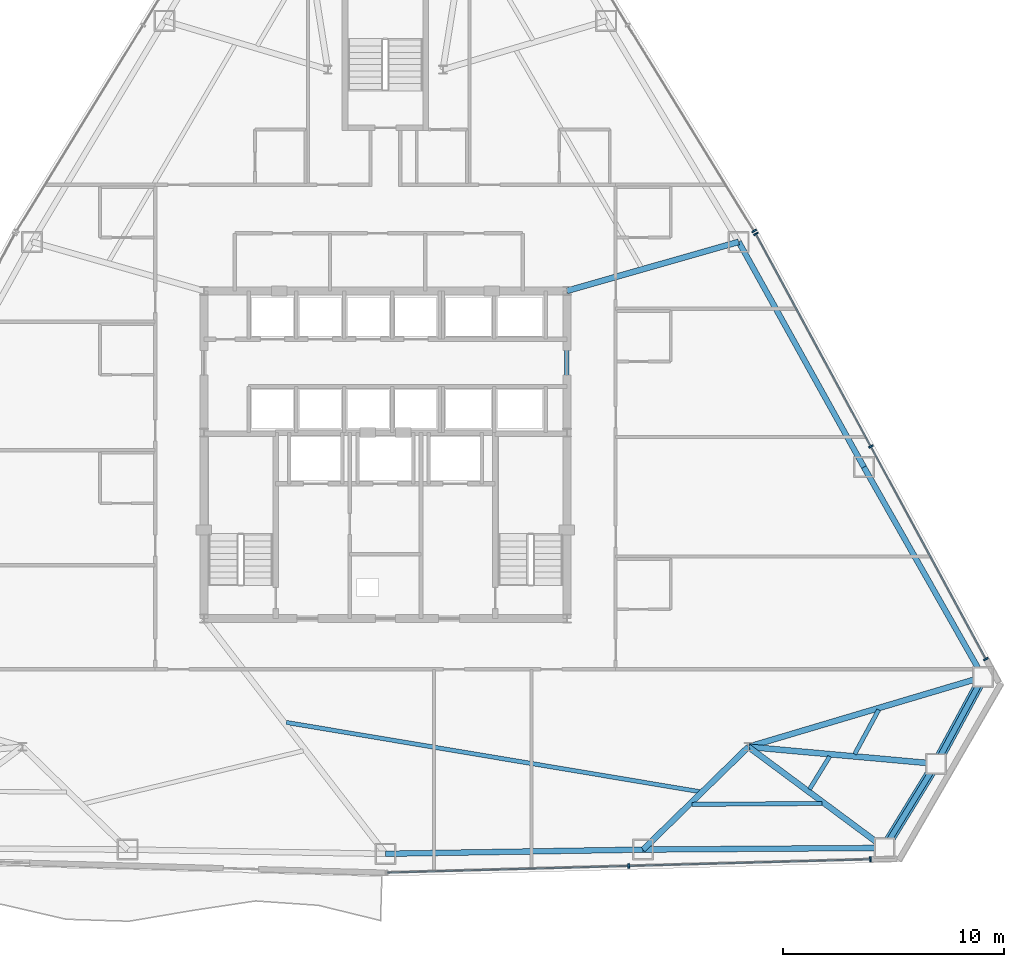
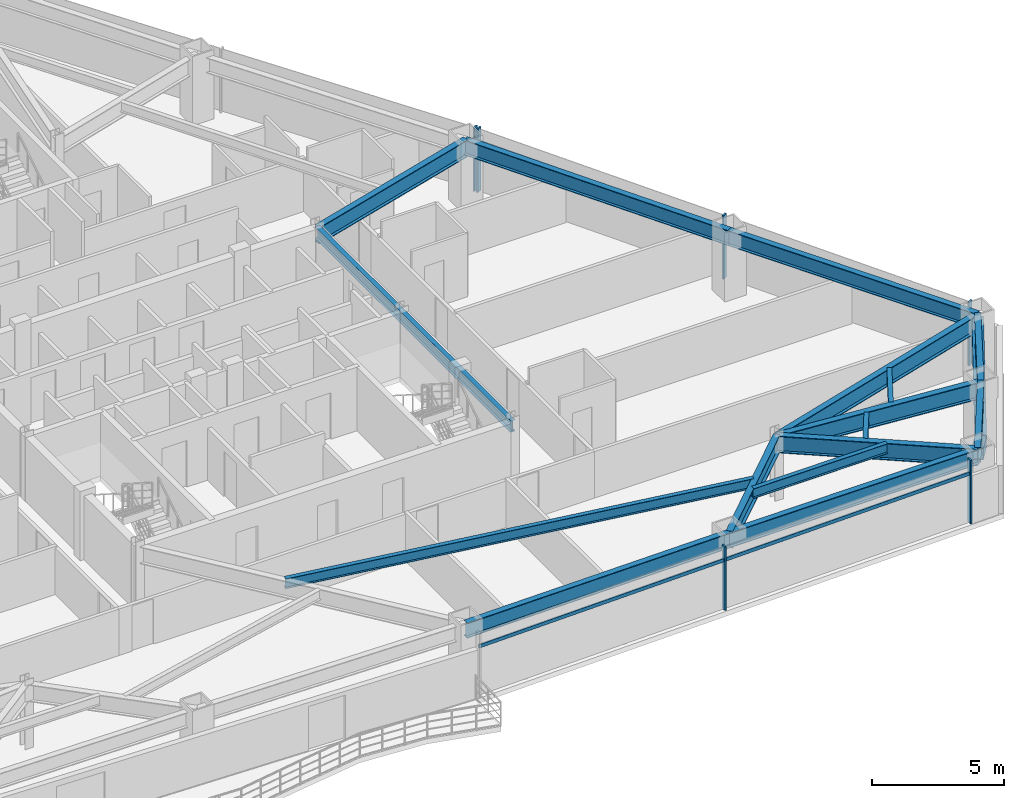
# One storey, part 6 of 13: 16 beams, 10 members, 3 elements without a shape of their own.
"""IFC4 building model written with IfcOpenShell, lengths in metres."""

from ifc_helpers import new_model, si_unit, direction, frame, origin, origin_2d, place, context, subcontext, project, spatial, rectangle, hollow_rectangle, i_section, extrude, source, transform, mapped, material, layer, layer_set, material_profile, profile_set, type_object, type_shapes, element, aggregate, save


model = new_model("IFC4")

# Units and contexts
model_context = context("Model", 3, precision=1e-05, world=origin(), true_north=direction((0.0, 1.0)))
body_context = subcontext(model_context, "Body", "Model", "MODEL_VIEW")
ifc_project = project(units=[si_unit("LENGTHUNIT", "METRE"), si_unit("AREAUNIT", "SQUARE_METRE"), si_unit("VOLUMEUNIT", "CUBIC_METRE"), si_unit("PLANEANGLEUNIT", "RADIAN"), si_unit("MASSUNIT", "GRAM", prefix="KILO")], contexts=[model_context])

# Site, building, storey
site_placement = place(None, origin())
site = spatial("IfcSite", under=ifc_project, at=site_placement, CompositionType="ELEMENT")
building_placement = place(site_placement, origin())
building = spatial("IfcBuilding", under=site, at=building_placement, Name="Varakhsha Concourse Tower", CompositionType="ELEMENT")
storey_placement = place(building_placement, frame((0.0, 0.0, 108.60009765625)))
storey = spatial("IfcBuildingStorey", under=building, at=storey_placement, Name="L31", CompositionType="ELEMENT", Elevation=108.60009765625)

# Beams
ifc_material_1 = material(Name="Structural Steel ASTM A992 Grade 50", Category="steel")
ifc_material_profile_1 = material_profile(ifc_material_1, i_section(OverallWidth=0.26611328125, OverallDepth=0.779052734375, WebThickness=0.01708984375, FlangeThickness=0.030029296875, at=origin_2d()), Name="W30X148")
ifc_profile_set_1 = profile_set([ifc_material_profile_1], Name="Structural Steel ASTM A992 Grade 50")
beam_type_1 = type_object("IfcBeamType", Name="BM-BASE-W30X148", PredefinedType="USERDEFINED", material=ifc_profile_set_1)
beam_1_placement = place(storey_placement, frame((56.39990234375, 10.60009765625, 2.55029296875), z_axis=(-0.715722386473, -0.698384897819, 0.0), x_axis=(0.698384897819, -0.715722386473, 0.0)))
element("IfcBeam", 1, at=beam_1_placement, inside=storey, type_object=beam_type_1, Name="L31 Radial Floor Girder 12", ObjectType="GIRDER", PredefinedType="USERDEFINED", context=body_context, shape_type="SweptSolid", body=[
    extrude(i_section(OverallWidth=0.26611328125, OverallDepth=0.779052734375, WebThickness=0.01708984375, FlangeThickness=0.030029296875, at=origin_2d()), origin(), (0.0, 0.0, 1.0), 6.646484375),
])
beam_2_placement = place(storey_placement, frame((56.39990234375, 10.60009765625, 2.55029296875), z_axis=(0.802769579704, -0.596289360883, 0.0), x_axis=(0.596289360883, 0.802769579704, 0.0)))
element("IfcBeam", 2, at=beam_2_placement, inside=storey, type_object=beam_type_1, Name="L31 Radial Floor Girder 13", ObjectType="GIRDER", PredefinedType="USERDEFINED", context=body_context, shape_type="SweptSolid", body=[
    extrude(i_section(OverallWidth=0.26611328125, OverallDepth=0.779052734375, WebThickness=0.01708984375, FlangeThickness=0.030029296875, at=origin_2d()), origin(), (0.0, 0.0, 1.0), 7.656005859375),
])
beam_3_placement = place(storey_placement, frame((56.39990234375, 10.60009765625, 2.55029296875), z_axis=(0.995965985667, -0.089731574119, 0.0), x_axis=(0.089731574119, 0.995965985667, 0.0)))
element("IfcBeam", 3, at=beam_3_placement, inside=storey, type_object=beam_type_1, Name="L31 Radial Floor Girder 14", ObjectType="GIRDER", PredefinedType="USERDEFINED", context=body_context, shape_type="SweptSolid", body=[
    extrude(i_section(OverallWidth=0.26611328125, OverallDepth=0.779052734375, WebThickness=0.01708984375, FlangeThickness=0.030029296875, at=origin_2d()), origin(), (0.0, 0.0, 1.0), 8.513427734375),
])
beam_4_placement = place(storey_placement, frame((56.39990234375, 10.60009765625, 2.55029296875), z_axis=(0.958430242981, 0.285326951653, 0.0), x_axis=(-0.285326951653, 0.958430242981, 0.0)))
element("IfcBeam", 4, at=beam_4_placement, inside=storey, type_object=beam_type_1, Name="L31 Radial Floor Girder 15", ObjectType="GIRDER", PredefinedType="USERDEFINED", context=body_context, shape_type="SweptSolid", body=[
    extrude(i_section(OverallWidth=0.26611328125, OverallDepth=0.779052734375, WebThickness=0.01708984375, FlangeThickness=0.030029296875, at=origin_2d()), origin(), (0.0, 0.0, 1.0), 11.064453125),
])
beam_5_placement = place(storey_placement, frame((48.199951171875, 31.199951171875, 2.55029296875), z_axis=(0.961591259635, 0.27448542656, 0.0), x_axis=(-0.27448542656, 0.961591259635, 0.0)))
element("IfcBeam", 5, at=beam_5_placement, inside=storey, type_object=beam_type_1, Name="L31 Radial Floor Girder 17", ObjectType="GIRDER", PredefinedType="USERDEFINED", context=body_context, shape_type="SweptSolid", body=[
    extrude(i_section(OverallWidth=0.26611328125, OverallDepth=0.779052734375, WebThickness=0.01708984375, FlangeThickness=0.030029296875, at=origin_2d()), origin(), (0.0, 0.0, 1.0), 8.07177734375),
])
ifc_material_profile_2 = material_profile(ifc_material_1, i_section(OverallWidth=0.19091796875, OverallDepth=0.45703125, WebThickness=0.009033203125, FlangeThickness=0.013916015625, at=origin_2d()), Name="W18X50")
ifc_profile_set_2 = profile_set([ifc_material_profile_2], Name="Structural Steel ASTM A992 Grade 50")
beam_type_2 = type_object("IfcBeamType", Name="BM-JST-W18X50", PredefinedType="JOIST", material=ifc_profile_set_2)
beam_6_placement = place(storey_placement, frame((35.5166015625, 11.7041015625, 2.71142578125), z_axis=(0.986266830469, -0.165159738181, 0.0), x_axis=(0.165159738181, 0.986266830469, 0.0)))
element("IfcBeam", 6, at=beam_6_placement, inside=storey, type_object=beam_type_2, Name="BM-TJST-L31-11", PredefinedType="JOIST", context=body_context, shape_type="SweptSolid", body=[
    extrude(i_section(OverallWidth=0.19091796875, OverallDepth=0.45703125, WebThickness=0.009033203125, FlangeThickness=0.013916015625, at=origin_2d()), origin(), (0.0, 0.0, 1.0), 18.941650390625),
])
beam_7_placement = place(storey_placement, frame((53.845947265625, 8.00146484375, 2.71142578125), z_axis=(0.999975430006, 0.007009948883, 0.0), x_axis=(-0.007009948883, 0.999975430006, 0.0)))
element("IfcBeam", 7, at=beam_7_placement, inside=storey, type_object=beam_type_2, Name="BM-TJST-L31-12", PredefinedType="JOIST", context=body_context, shape_type="SweptSolid", body=[
    extrude(i_section(OverallWidth=0.19091796875, OverallDepth=0.45703125, WebThickness=0.009033203125, FlangeThickness=0.013916015625, at=origin_2d()), origin(), (0.0, 0.0, 1.0), 5.885986328125),
])
beam_8_placement = place(storey_placement, frame((59.161865234375, 8.68505859375, 2.71142578125), z_axis=(0.523041666025, 0.852307113429, 0.0), x_axis=(-0.852307113429, 0.523041666025, 0.0)))
element("IfcBeam", 8, at=beam_8_placement, inside=storey, type_object=beam_type_2, Name="BM-TJST-L31-13", PredefinedType="JOIST", context=body_context, shape_type="SweptSolid", body=[
    extrude(i_section(OverallWidth=0.19091796875, OverallDepth=0.45703125, WebThickness=0.009033203125, FlangeThickness=0.013916015625, at=origin_2d()), origin(), (0.0, 0.0, 1.0), 1.742431640625),
])
beam_9_placement = place(storey_placement, frame((61.20068359375, 10.268798828125, 2.71142578125), z_axis=(0.476469609204, 0.879190941437, 0.0), x_axis=(-0.879190941437, 0.476469609204, 0.0)))
element("IfcBeam", 9, at=beam_9_placement, inside=storey, type_object=beam_type_2, Name="BM-TJST-L31-14", PredefinedType="JOIST", context=body_context, shape_type="SweptSolid", body=[
    extrude(i_section(OverallWidth=0.19091796875, OverallDepth=0.45703125, WebThickness=0.009033203125, FlangeThickness=0.013916015625, at=origin_2d()), origin(), (0.0, 0.0, 1.0), 2.277587890625),
])
ifc_material_profile_3 = material_profile(ifc_material_1, i_section(OverallWidth=0.2109375, OverallDepth=0.5390625, WebThickness=0.011962890625, FlangeThickness=0.01904296875, at=origin_2d()), Name="W21X73")
ifc_profile_set_3 = profile_set([ifc_material_profile_3], Name="Structural Steel ASTM A992 Grade 50")
beam_type_3 = type_object("IfcBeamType", Name="BM-RAD-W21X73", PredefinedType="BEAM", material=ifc_profile_set_3)
beam_10_placement = place(storey_placement, frame((48.199951171875, 16.39990234375, 2.67041015625), z_axis=(0.0, 1.0, 0.0), x_axis=(-1.0, 0.0, 0.0)))
element("IfcBeam", 10, at=beam_10_placement, inside=storey, type_object=beam_type_3, Name="BM-TCORE-L31-CE", PredefinedType="BEAM", context=body_context, shape_type="SweptSolid", body=[
    extrude(i_section(OverallWidth=0.2109375, OverallDepth=0.5390625, WebThickness=0.011962890625, FlangeThickness=0.01904296875, at=origin_2d()), origin(), (0.0, 0.0, 1.0), 14.800048828125),
])
ifc_material_profile_4 = material_profile(ifc_material_1, i_section(OverallWidth=0.25390625, OverallDepth=0.701904296875, WebThickness=0.014892578125, FlangeThickness=0.028076171875, at=origin_2d()), Name="W27X129")
ifc_profile_set_4 = profile_set([ifc_material_profile_4], Name="Structural Steel ASTM A992 Grade 50")
beam_type_4 = type_object("IfcBeamType", Name="BM-SPAN-W27X129", PredefinedType="SPANDREL", material=ifc_profile_set_4)
beam_11_placement = place(storey_placement, frame((40.0, 5.76904296875, 2.5888671875), z_axis=(0.999867976584, 0.016248981565, 0.0), x_axis=(-0.016248981565, 0.999867976584, 0.0)))
element("IfcBeam", 11, at=beam_11_placement, inside=storey, type_object=beam_type_4, Name="BM-SPAN-L31-11", PredefinedType="SPANDREL", context=body_context, shape_type="SweptSolid", body=[
    extrude(i_section(OverallWidth=0.25390625, OverallDepth=0.701904296875, WebThickness=0.014892578125, FlangeThickness=0.028076171875, at=origin_2d()), origin(), (0.0, 0.0, 1.0), 11.644287109375),
])
beam_12_placement = place(storey_placement, frame((51.642822265625, 5.958251953125, 2.5888671875), z_axis=(0.999975283031, 0.007030883783, 0.0), x_axis=(-0.007030883783, 0.999975283031, 0.0)))
element("IfcBeam", 12, at=beam_12_placement, inside=storey, type_object=beam_type_4, Name="BM-SPAN-L31-12", PredefinedType="SPANDREL", context=body_context, shape_type="SweptSolid", body=[
    extrude(i_section(OverallWidth=0.25390625, OverallDepth=0.701904296875, WebThickness=0.014892578125, FlangeThickness=0.028076171875, at=origin_2d()), origin(), (0.0, 0.0, 1.0), 10.9033203125),
])
beam_13_placement = place(storey_placement, frame((62.5458984375, 6.034912109375, 2.5888671875), z_axis=(0.523083096004, 0.852281687399, 0.0), x_axis=(-0.852281687399, 0.523083096004, 0.0)))
element("IfcBeam", 13, at=beam_13_placement, inside=storey, type_object=beam_type_4, Name="BM-SPAN-L31-13", PredefinedType="SPANDREL", context=body_context, shape_type="SweptSolid", body=[
    extrude(i_section(OverallWidth=0.25390625, OverallDepth=0.701904296875, WebThickness=0.014892578125, FlangeThickness=0.028076171875, at=origin_2d()), origin(), (0.0, 0.0, 1.0), 4.460205078125),
])
beam_14_placement = place(storey_placement, frame((64.87890625, 9.836181640625, 2.5888671875), z_axis=(0.476572329896, 0.87913526512, 0.0), x_axis=(-0.87913526512, 0.476572329896, 0.0)))
element("IfcBeam", 14, at=beam_14_placement, inside=storey, type_object=beam_type_4, Name="BM-SPAN-L31-14", PredefinedType="SPANDREL", context=body_context, shape_type="SweptSolid", body=[
    extrude(i_section(OverallWidth=0.25390625, OverallDepth=0.701904296875, WebThickness=0.014892578125, FlangeThickness=0.028076171875, at=origin_2d()), origin(), (0.0, 0.0, 1.0), 4.4599609375),
])
beam_15_placement = place(storey_placement, frame((67.00439453125, 13.757080078125, 2.5888671875), z_axis=(-0.49387783637, 0.869531300611, 0.0), x_axis=(-0.869531300611, -0.49387783637, 0.0)))
element("IfcBeam", 15, at=beam_15_placement, inside=storey, type_object=beam_type_4, Name="BM-SPAN-L31-15", PredefinedType="SPANDREL", context=body_context, shape_type="SweptSolid", body=[
    extrude(i_section(OverallWidth=0.25390625, OverallDepth=0.701904296875, WebThickness=0.014892578125, FlangeThickness=0.028076171875, at=origin_2d()), origin(), (0.0, 0.0, 1.0), 10.903564453125),
])
beam_16_placement = place(storey_placement, frame((61.619384765625, 23.238037109375, 2.5888671875), z_axis=(-0.485876116014, 0.874027688284, 0.0), x_axis=(-0.874027688284, -0.485876116014, 0.0)))
element("IfcBeam", 16, at=beam_16_placement, inside=storey, type_object=beam_type_4, Name="BM-SPAN-L31-16", PredefinedType="SPANDREL", context=body_context, shape_type="SweptSolid", body=[
    extrude(i_section(OverallWidth=0.25390625, OverallDepth=0.701904296875, WebThickness=0.014892578125, FlangeThickness=0.028076171875, at=origin_2d()), origin(), (0.0, 0.0, 1.0), 11.644287109375),
])

# Members
ifc_material_2 = material(Name="Structural Steel ASTM A500 Grade C", Category="steel")
ifc_material_profile_5 = material_profile(ifc_material_2, hollow_rectangle(XDim=0.449951171875, YDim=0.449951171875, WallThickness=0.01904296875, at=origin_2d()), Name="HSS 450x450x19")
ifc_profile_set_5 = profile_set([ifc_material_profile_5], Name="Structural Steel ASTM A500 Grade C")
member_type_1 = type_object("IfcMemberType", Name="MB-TUBE-HSS450", PredefinedType="BRACE", material=ifc_profile_set_5)
shared_shape_1 = source(origin(), body_context, "Body", "SweptSolid", [
    extrude(hollow_rectangle(XDim=0.449951171875, YDim=0.449951171875, WallThickness=0.01904296875, at=origin_2d()), origin(), (0.0, 0.0, 1.0), 5.122802734375),
])
member_1_placement = place(storey_placement, frame((64.87890625, 9.836181640625, 0.119873046875), z_axis=(-0.455416583654, -0.742029741261, 0.491922349987), x_axis=(0.852281687399, -0.523083096004, 0.0)))
element("IfcMember", 17, at=member_1_placement, inside=storey, type_object=member_type_1, Name="L31 Wind-Corner Tube Brace B05", PredefinedType="BRACE", context=body_context, shape_type="MappedRepresentation", body=[
    mapped(shared_shape_1, transform((0.0, 0.0, 0.0), scale=1.0)),
])
shared_shape_2 = source(origin(), body_context, "Body", "SweptSolid", [
    extrude(hollow_rectangle(XDim=0.449951171875, YDim=0.449951171875, WallThickness=0.01904296875, at=origin_2d()), origin(), (0.0, 0.0, 1.0), 5.12255859375),
])
type_shapes(member_type_1, [shared_shape_1, shared_shape_2])
member_2_placement = place(storey_placement, frame((64.87890625, 9.836181640625, 0.119873046875), z_axis=(0.414918882796, 0.765402855238, 0.491935757893), x_axis=(-0.87913526512, 0.476572329896, 0.0)))
element("IfcMember", 18, at=member_2_placement, inside=storey, type_object=member_type_1, Name="L31 Wind-Corner Tube Brace B06", PredefinedType="BRACE", context=body_context, shape_type="MappedRepresentation", body=[
    mapped(shared_shape_2, transform((0.0, 0.0, 0.0), scale=1.0)),
])

# Curtain wall, member
ifc_material_3 = material(Name="Anodised Bronze Architectural Aluminium AA 6063-T6", Category="aluminium")
ifc_layer = layer(ifc_material_3, 0.199951171875, Name="CW-SYS-03")
ifc_layer_set = layer_set([ifc_layer], Name="Anodised Bronze Architectural Aluminium AA 6063-T6")
curtain_wall_type = type_object("IfcCurtainWallType", Name="CW-SYS-03", PredefinedType="NOTDEFINED", material=ifc_layer_set)
curtain_wall_1_placement = place(storey_placement, origin())
curtain_wall_1 = element("IfcCurtainWall", 19, at=curtain_wall_1_placement, inside=storey, type_object=curtain_wall_type, Name="L31 Crystal Curtain Wall F6", PredefinedType="NOTDEFINED")
ifc_material_profile_6 = material_profile(ifc_material_3, rectangle(XDim=0.06494140625, YDim=0.159912109375, at=origin_2d()), Name="CWT-160X65")
ifc_profile_set_6 = profile_set([ifc_material_profile_6], Name="Anodised Bronze Architectural Aluminium AA 6063-T6")
member_type_2 = type_object("IfcMemberType", Name="CWT-160X65", PredefinedType="USERDEFINED", material=ifc_profile_set_6)
shared_shape_3 = source(origin(), body_context, "Body", "SweptSolid", [
    extrude(rectangle(XDim=0.06494140625, YDim=0.159912109375, at=origin_2d()), origin(), (0.0, 0.0, 1.0), 21.8427734375),
])
type_shapes(member_type_2, [shared_shape_3])
member_3_placement = place(storey_placement, frame((61.91015625, 5.520751953125, 2.289794921875), z_axis=(-0.999620685936, -0.027540592729, 0.0), x_axis=(0.027540592729, -0.999620685936, 0.0)))
member_3 = element("IfcMember", 20, at=member_3_placement, type_object=member_type_2, Name="CW-L31-F6 Transom 01", ObjectType="TRANSOM", PredefinedType="USERDEFINED", context=body_context, shape_type="MappedRepresentation", body=[
    mapped(shared_shape_3, transform((0.0, 0.0, 0.0), scale=1.0)),
])

curtain_wall_2_placement = place(storey_placement, origin())
curtain_wall_2 = element("IfcCurtainWall", 21, at=curtain_wall_2_placement, inside=storey, type_object=curtain_wall_type, Name="L31 Crystal Curtain Wall F8", PredefinedType="NOTDEFINED")
member_4_placement = place(storey_placement, frame((56.735595703125, 33.77490234375, 2.289794921875), z_axis=(0.475959052174, -0.879467441497, 0.0), x_axis=(0.879467441497, 0.475959052174, 0.0)))
member_4 = element("IfcMember", 22, at=member_4_placement, type_object=member_type_2, Name="CW-L31-F8 Transom 01", ObjectType="TRANSOM", PredefinedType="USERDEFINED", context=body_context, shape_type="MappedRepresentation", body=[
    mapped(shared_shape_3, transform((0.0, 0.0, 0.0), scale=1.0)),
])

# Member
ifc_material_profile_7 = material_profile(ifc_material_3, rectangle(XDim=0.074951171875, YDim=0.219970703125, at=origin_2d()), Name="CWM-220X75")
ifc_profile_set_7 = profile_set([ifc_material_profile_7], Name="Anodised Bronze Architectural Aluminium AA 6063-T6")
member_type_3 = type_object("IfcMemberType", Name="CWM-220X75", PredefinedType="MULLION", material=ifc_profile_set_7)
shared_shape_4 = source(origin(), body_context, "Body", "SweptSolid", [
    extrude(rectangle(XDim=0.074951171875, YDim=0.219970703125, at=origin_2d()), origin(), (0.0, 0.0, 1.0), 2.93994140625),
])
type_shapes(member_type_3, [shared_shape_4])
member_5_placement = place(storey_placement, frame((61.91015625, 5.520751953125, 0.0), z_axis=(0.0, 0.0, 1.0), x_axis=(-0.99962052214, -0.02754653728, 0.0)))
member_5 = element("IfcMember", 23, at=member_5_placement, type_object=member_type_3, Name="CW-L31-F6 Mullion 00", PredefinedType="MULLION", context=body_context, shape_type="MappedRepresentation", body=[
    mapped(shared_shape_4, transform((0.0, 0.0, 0.0), scale=1.0)),
])

member_6_placement = place(storey_placement, frame((50.992919921875, 5.219970703125, 0.0), z_axis=(0.0, 0.0, 1.0), x_axis=(-0.99962052214, -0.02754653728, 0.0)))
member_6 = element("IfcMember", 24, at=member_6_placement, type_object=member_type_3, Name="CW-L31-F6 Mullion 01", PredefinedType="MULLION", context=body_context, shape_type="MappedRepresentation", body=[
    mapped(shared_shape_4, transform((0.0, 0.0, 0.0), scale=1.0)),
])

aggregate(curtain_wall_1, [member_5, member_6, member_3])

member_7_placement = place(storey_placement, frame((56.735595703125, 33.77490234375, 0.0), z_axis=(0.0, 0.0, 1.0), x_axis=(0.475958864887, -0.879467542855, 0.0)))
member_7 = element("IfcMember", 25, at=member_7_placement, type_object=member_type_3, Name="CW-L31-F8 Mullion 00", PredefinedType="MULLION", context=body_context, shape_type="MappedRepresentation", body=[
    mapped(shared_shape_4, transform((0.0, 0.0, 0.0), scale=1.0)),
])

member_8_placement = place(storey_placement, frame((61.93359375, 24.169921875, 0.0), z_axis=(0.0, 0.0, 1.0), x_axis=(0.475958864887, -0.879467542855, 0.0)))
member_8 = element("IfcMember", 26, at=member_8_placement, type_object=member_type_3, Name="CW-L31-F8 Mullion 01", PredefinedType="MULLION", context=body_context, shape_type="MappedRepresentation", body=[
    mapped(shared_shape_4, transform((0.0, 0.0, 0.0), scale=1.0)),
])

member_9_placement = place(storey_placement, frame((67.1318359375, 14.56494140625, 0.0), z_axis=(0.0, 0.0, 1.0), x_axis=(0.475958864887, -0.879467542855, 0.0)))
member_9 = element("IfcMember", 27, at=member_9_placement, type_object=member_type_3, Name="CW-L31-F8 Mullion 02", PredefinedType="MULLION", context=body_context, shape_type="MappedRepresentation", body=[
    mapped(shared_shape_4, transform((0.0, 0.0, 0.0), scale=1.0)),
])

aggregate(curtain_wall_2, [member_7, member_8, member_9, member_4])

# Curtain wall, member
curtain_wall_3_placement = place(storey_placement, origin())
curtain_wall_3 = element("IfcCurtainWall", 28, at=curtain_wall_3_placement, inside=storey, type_object=curtain_wall_type, Name="L31 Crystal Curtain Wall F9", PredefinedType="NOTDEFINED")
member_10_placement = place(storey_placement, frame((56.659912109375, 33.906005859375, 0.0), z_axis=(0.0, 0.0, 1.0), x_axis=(0.523664775253, -0.851924411646, 0.0)))
member_10 = element("IfcMember", 29, at=member_10_placement, type_object=member_type_3, Name="CW-L31-F9 Mullion 02", PredefinedType="MULLION", context=body_context, shape_type="MappedRepresentation", body=[
    mapped(shared_shape_4, transform((0.0, 0.0, 0.0), scale=1.0)),
])
aggregate(curtain_wall_3, [member_10])

save(model, "model.ifc")
